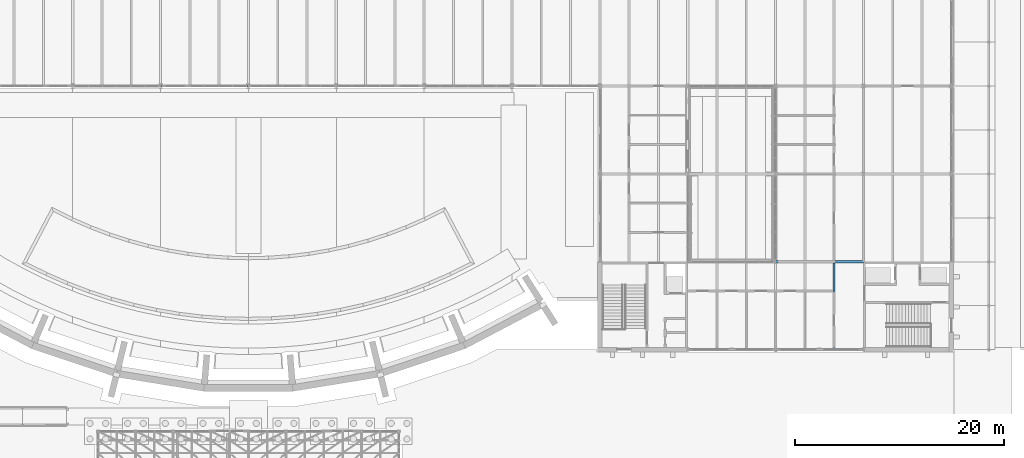
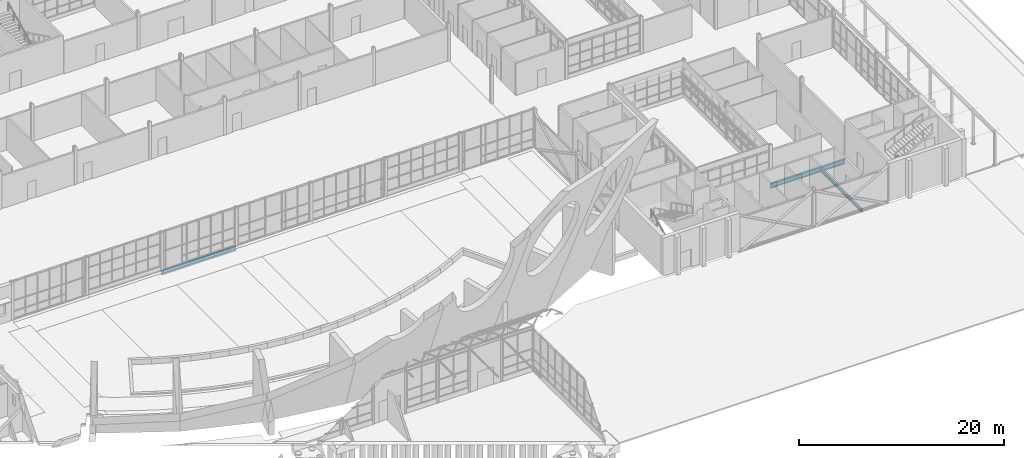
# One storey, part 40 of 116: 3 beams.
"""IFC4 building model written with IfcOpenShell, lengths in metres."""

from ifc_helpers import new_model, si_unit, direction, frame, origin, origin_2d, place, context, subcontext, project, spatial, i_section, extrude, material, material_profile, profile_set, type_object, element, save


model = new_model("IFC4")

# Units and contexts
model_context = context("Model", 3, precision=1e-05, world=origin(), true_north=direction((0.0, 1.0)))
body_context = subcontext(model_context, "Body", "Model", "MODEL_VIEW")
ifc_project = project(units=[si_unit("LENGTHUNIT", "METRE"), si_unit("AREAUNIT", "SQUARE_METRE"), si_unit("VOLUMEUNIT", "CUBIC_METRE"), si_unit("PLANEANGLEUNIT", "RADIAN"), si_unit("MASSUNIT", "GRAM", prefix="KILO")], contexts=[model_context])

# Site, building, storey
site_placement = place(None, origin())
site = spatial("IfcSite", under=ifc_project, at=site_placement, CompositionType="ELEMENT")
building_placement = place(site_placement, origin())
building = spatial("IfcBuilding", under=site, at=building_placement, Name="Ardhachandra Cancer Care Centre", CompositionType="ELEMENT")
storey_placement = place(building_placement, origin())
storey = spatial("IfcBuildingStorey", under=building, at=storey_placement, Name="L00", CompositionType="ELEMENT", Elevation=0.0)

# Beams
ifc_material_1 = material(Name="Steel E350 (IS 2062)", Category="steel")
ifc_material_profile_1 = material_profile(ifc_material_1, i_section(OverallWidth=0.179931640625, OverallDepth=0.39990234375, WebThickness=0.008544921875, FlangeThickness=0.013427734375, FilletRadius=0.02099609375, at=origin_2d()), Name="NPB 400x180x66.30")
ifc_profile_set_1 = profile_set([ifc_material_profile_1], Name="Steel E350 (IS 2062)")
beam_type_1 = type_object("IfcBeamType", Name="Beam NPB 400x180x66.30", PredefinedType="BEAM", material=ifc_profile_set_1)
beam_1_placement = place(storey_placement, frame((134.0, 29.5, -0.35009765625), z_axis=(0.0, 1.0, 0.0), x_axis=(-1.0, 0.0, 0.0)))
element("IfcBeam", 1, at=beam_1_placement, inside=storey, type_object=beam_type_1, Name="Secondary C15-D15@5600", PredefinedType="BEAM", context=body_context, shape_type="SweptSolid", body=[
    extrude(i_section(OverallWidth=0.179931640625, OverallDepth=0.39990234375, WebThickness=0.008544921875, FlangeThickness=0.013427734375, FilletRadius=0.02099609375, at=origin_2d()), origin(), (0.0, 0.0, 1.0), 8.195068359375),
])
ifc_material_2 = material(Name="Steel E350 (IS 2062)", Category="steel")
ifc_material_profile_2 = material_profile(ifc_material_2, i_section(OverallWidth=0.199951171875, OverallDepth=0.5, WebThickness=0.01025390625, FlangeThickness=0.01611328125, FilletRadius=0.02099609375, at=origin_2d()), Name="NPB 500x200x90.68")
ifc_profile_set_2 = profile_set([ifc_material_profile_2], Name="Steel E350 (IS 2062)")
beam_type_2 = type_object("IfcBeamType", Name="Beam NPB 500x200x90.68", PredefinedType="BEAM", material=ifc_profile_set_2)
beam_2_placement = place(storey_placement, frame((69.60009765625, 54.60009765625, -0.39990234375), z_axis=(1.0, 0.0, 0.0), x_axis=(0.0, 1.0, 0.0)))
element("IfcBeam", 2, at=beam_2_placement, inside=storey, type_object=beam_type_2, Name="Edge girder F8-F9", PredefinedType="BEAM", context=body_context, shape_type="SweptSolid", body=[
    extrude(i_section(OverallWidth=0.199951171875, OverallDepth=0.5, WebThickness=0.01025390625, FlangeThickness=0.01611328125, FilletRadius=0.02099609375, at=origin_2d()), origin(), (0.0, 0.0, 1.0), 8.39990234375),
])
ifc_material_3 = material(Name="Steel E350 (IS 2062)", Category="steel")
ifc_material_profile_3 = material_profile(ifc_material_3, i_section(OverallWidth=0.2099609375, OverallDepth=0.550048828125, WebThickness=0.010986328125, FlangeThickness=0.01708984375, FilletRadius=0.02392578125, at=origin_2d()), Name="NPB 550x210x105.52")
ifc_profile_set_3 = profile_set([ifc_material_profile_3], Name="Steel E350 (IS 2062)")
beam_type_3 = type_object("IfcBeamType", Name="Beam NPB 550x210x105.52", PredefinedType="BEAM", material=ifc_profile_set_3)
beam_3_placement = place(storey_placement, frame((128.39990234375, 37.800048828125, -0.425048828125), z_axis=(1.0, 0.0, 0.0), x_axis=(0.0, 1.0, 0.0)))
element("IfcBeam", 3, at=beam_3_placement, inside=storey, type_object=beam_type_3, Name="Girder D15-D16", PredefinedType="BEAM", context=body_context, shape_type="SweptSolid", body=[
    extrude(i_section(OverallWidth=0.2099609375, OverallDepth=0.550048828125, WebThickness=0.010986328125, FlangeThickness=0.01708984375, FilletRadius=0.02392578125, at=origin_2d()), origin(), (0.0, 0.0, 1.0), 8.400146484375),
])

save(model, "model.ifc")
